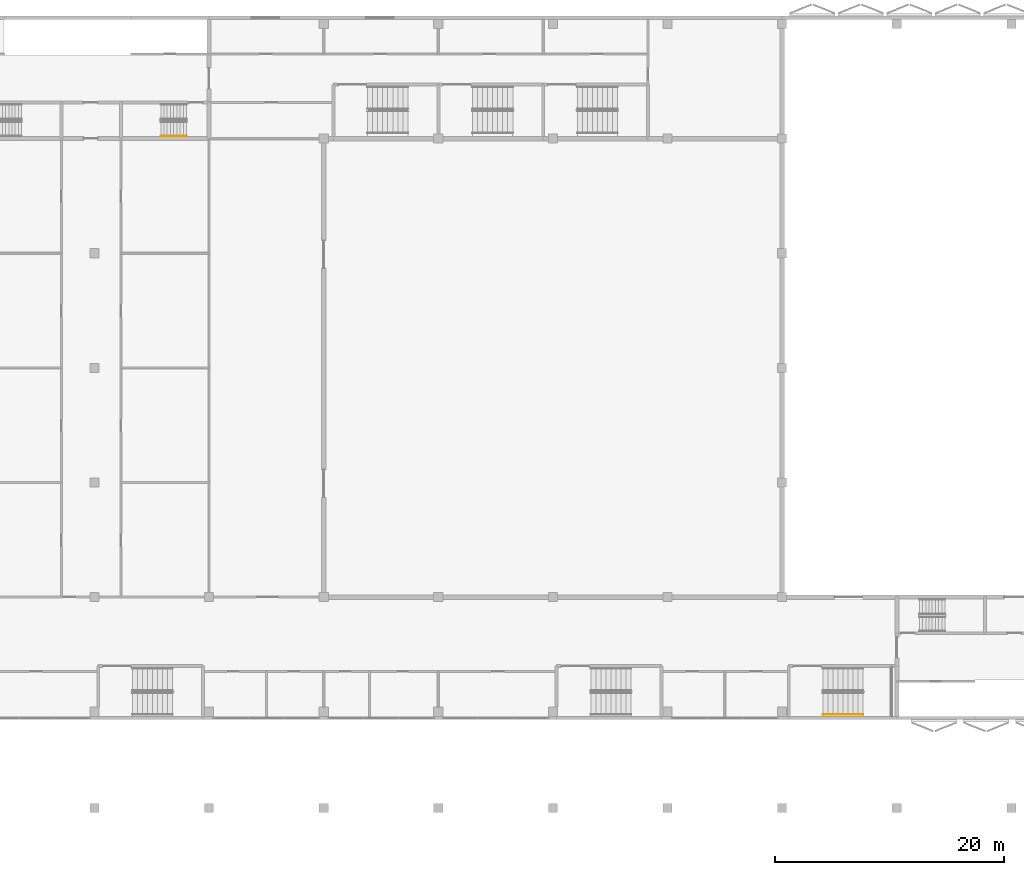
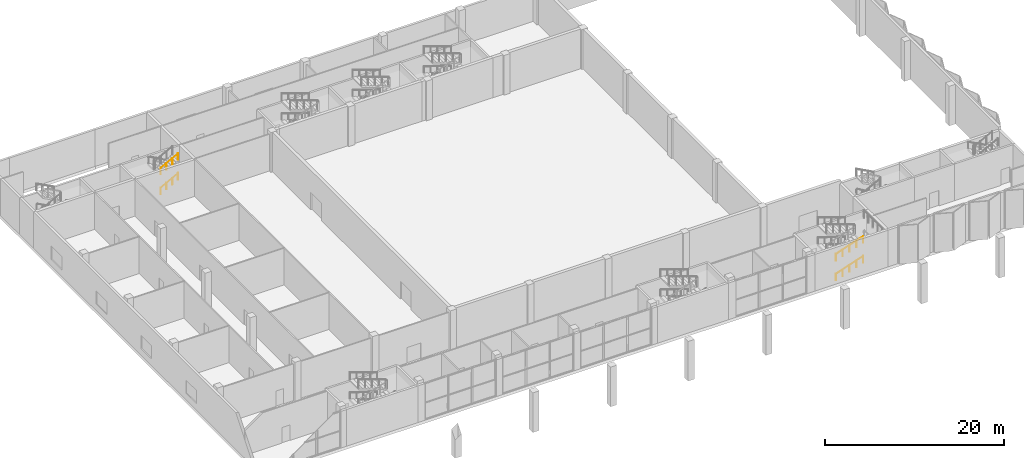
# One storey, part 29 of 35: 4 railings.
"""IFC4 building model written with IfcOpenShell, lengths in metres."""

from ifc_helpers import new_model, si_unit, direction, frame, origin, origin_2d, place, context, subcontext, project, spatial, circle, extrude, material, type_object, element, save


model = new_model("IFC4")

# Units and contexts
model_context = context("Model", 3, precision=1e-05, world=origin(), true_north=direction((0.0, 1.0)))
body_context = subcontext(model_context, "Body", "Model", "MODEL_VIEW")
ifc_project = project(units=[si_unit("LENGTHUNIT", "METRE"), si_unit("AREAUNIT", "SQUARE_METRE"), si_unit("VOLUMEUNIT", "CUBIC_METRE"), si_unit("PLANEANGLEUNIT", "RADIAN"), si_unit("MASSUNIT", "GRAM", prefix="KILO")], contexts=[model_context])

# Site, building, storey
site_placement = place(None, origin())
site = spatial("IfcSite", under=ifc_project, at=site_placement, CompositionType="ELEMENT")
building_placement = place(site_placement, origin())
building = spatial("IfcBuilding", under=site, at=building_placement, Name="Jabali Bay Hotel Tower and Convention Centre", CompositionType="ELEMENT")
storey_placement = place(building_placement, frame((0.0, 0.0, 15.0)))
storey = spatial("IfcBuildingStorey", under=building, at=storey_placement, Name="L02", CompositionType="ELEMENT", Elevation=15.0)

# Railings
ifc_material = material(Name="Stainless steel 304", Category="steel")
railing_type = type_object("IfcRailingType", Name="CC Stair Handrail 900", PredefinedType="HANDRAIL", material=ifc_material)
for number, where, name in (
    (1, (166.485107421875, 100.22509765625, 1.5), "L02 CC-STWB stair handrail 2"),
    (2, (166.485107421875, 100.22509765625, 4.199951171875), "L02 CC-STWB stair handrail 4"),
):
    element("IfcRailing", number, at=place(storey_placement, frame(where)), inside=storey, type_object=railing_type, Name=name, PredefinedType="HANDRAIL", context=body_context, shape_type="SweptSolid", body=[
        extrude(circle(Radius=0.02392578125, at=origin_2d()), frame((0.0, 0.0, 0.8759765625), z_axis=(0.881487111273, 0.0, 0.472208081951), x_axis=(0.0, 1.0, 0.0)), (0.0, 0.0, 1.0), 2.541259765625),
        extrude(circle(Radius=0.02099609375, at=origin_2d()), origin(), (0.0, 0.0, 1.0), 0.851806640625),
        extrude(circle(Radius=0.02099609375, at=origin_2d()), frame((0.74658203125, 0.0, 0.39990234375)), (0.0, 0.0, 1.0), 0.851806640625),
        extrude(circle(Radius=0.02099609375, at=origin_2d()), frame((1.493408203125, 0.0, 0.800048828125)), (0.0, 0.0, 1.0), 0.851806640625),
        extrude(circle(Radius=0.02099609375, at=origin_2d()), frame((2.239990234375, 0.0, 1.199951171875)), (0.0, 0.0, 1.0), 0.851806640625),
    ])
railing_1_placement = place(storey_placement, frame((224.25, 49.75, 0.14990234375)))
element("IfcRailing", 3, at=railing_1_placement, inside=storey, type_object=railing_type, Name="L02 CC-STS3 stair handrail 1", PredefinedType="HANDRAIL", context=body_context, shape_type="SweptSolid", body=[
    extrude(circle(Radius=0.02392578125, at=origin_2d()), frame((0.0, 0.0, 0.8759765625), z_axis=(0.946494694335, 0.0, 0.322719372822), x_axis=(0.0, 1.0, 0.0)), (0.0, 0.0, 1.0), 3.718994140625),
    extrude(circle(Radius=0.02099609375, at=origin_2d()), origin(), (0.0, 0.0, 1.0), 0.851806640625),
    extrude(circle(Radius=0.02099609375, at=origin_2d()), frame((0.8798828125, 0.0, 0.300048828125)), (0.0, 0.0, 1.0), 0.851806640625),
    extrude(circle(Radius=0.02099609375, at=origin_2d()), frame((1.760009765625, 0.0, 0.60009765625)), (0.0, 0.0, 1.0), 0.851806640625),
    extrude(circle(Radius=0.02099609375, at=origin_2d()), frame((2.64013671875, 0.0, 0.900146484375)), (0.0, 0.0, 1.0), 0.851806640625),
    extrude(circle(Radius=0.02099609375, at=origin_2d()), frame((3.52001953125, 0.0, 1.2001953125)), (0.0, 0.0, 1.0), 0.851806640625),
])
railing_2_placement = place(storey_placement, frame((224.25, 49.75, 2.85009765625)))
element("IfcRailing", 4, at=railing_2_placement, inside=storey, type_object=railing_type, Name="L02 CC-STS3 stair handrail 3", PredefinedType="HANDRAIL", context=body_context, shape_type="SweptSolid", body=[
    extrude(circle(Radius=0.02392578125, at=origin_2d()), frame((0.0, 0.0, 0.8759765625), z_axis=(0.946514744872, 0.0, 0.322660561177), x_axis=(0.0, 1.0, 0.0)), (0.0, 0.0, 1.0), 3.718994140625),
    extrude(circle(Radius=0.02099609375, at=origin_2d()), origin(), (0.0, 0.0, 1.0), 0.851806640625),
    extrude(circle(Radius=0.02099609375, at=origin_2d()), frame((0.8798828125, 0.0, 0.300048828125)), (0.0, 0.0, 1.0), 0.851806640625),
    extrude(circle(Radius=0.02099609375, at=origin_2d()), frame((1.760009765625, 0.0, 0.60009765625)), (0.0, 0.0, 1.0), 0.851806640625),
    extrude(circle(Radius=0.02099609375, at=origin_2d()), frame((2.64013671875, 0.0, 0.89990234375)), (0.0, 0.0, 1.0), 0.851806640625),
    extrude(circle(Radius=0.02099609375, at=origin_2d()), frame((3.52001953125, 0.0, 1.199951171875)), (0.0, 0.0, 1.0), 0.851806640625),
])

save(model, "model.ifc")
